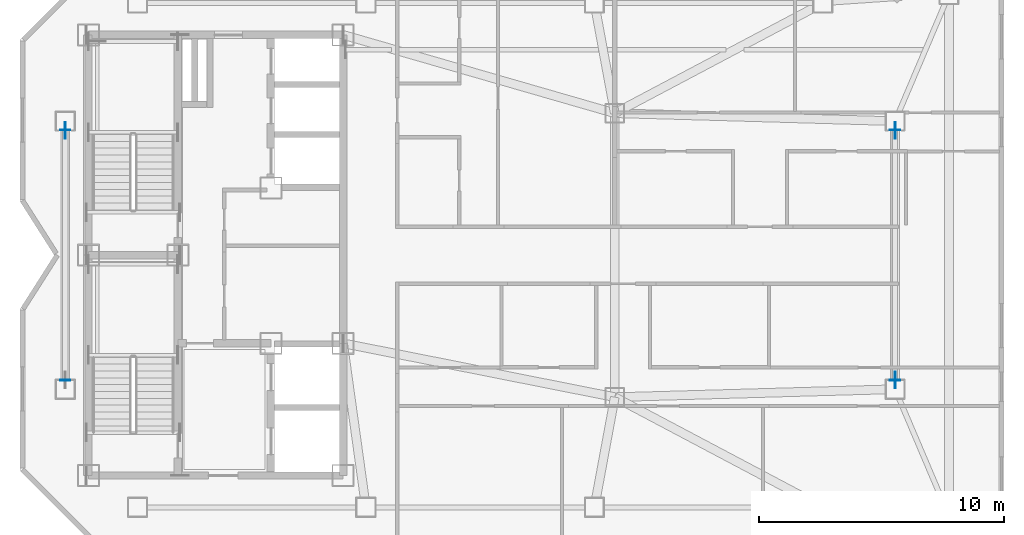
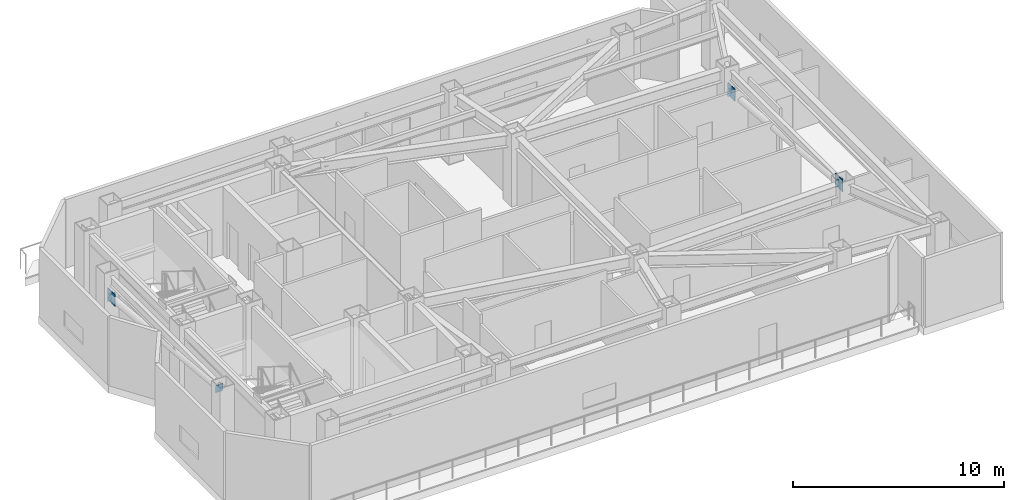
# One storey, part 3 of 10: 7 plates.
"""IFC4 building model written with IfcOpenShell, lengths in metres."""

from ifc_helpers import new_model, si_unit, direction, frame, origin, origin_2d, place, context, subcontext, project, spatial, rectangle, extrude, material, layer, layer_set, type_object, element, save


model = new_model("IFC4")

# Units and contexts
model_context = context("Model", 3, precision=1e-05, world=origin(), true_north=direction((0.0, 1.0)))
body_context = subcontext(model_context, "Body", "Model", "MODEL_VIEW")
ifc_project = project(units=[si_unit("LENGTHUNIT", "METRE"), si_unit("AREAUNIT", "SQUARE_METRE"), si_unit("VOLUMEUNIT", "CUBIC_METRE"), si_unit("PLANEANGLEUNIT", "RADIAN"), si_unit("MASSUNIT", "GRAM", prefix="KILO")], contexts=[model_context])

# Site, building, storey
site_placement = place(None, origin())
site = spatial("IfcSite", under=ifc_project, at=site_placement, CompositionType="ELEMENT")
building_placement = place(site_placement, origin())
building = spatial("IfcBuilding", under=site, at=building_placement, Name="Khamvora Tower", CompositionType="ELEMENT")
storey_placement = place(building_placement, frame((0.0, 0.0, 294.64990234375)))
storey = spatial("IfcBuildingStorey", under=building, at=storey_placement, Name="L75", CompositionType="ELEMENT", Elevation=294.64990234375)

# Plates
ifc_material_1 = material(Name="Steel S355", Category="steel")
ifc_layer_1 = layer(ifc_material_1, 0.02490234375)
ifc_layer_set_1 = layer_set([ifc_layer_1], Name="Steel S355")
plate_type_1 = type_object("IfcPlateType", Name="PL-CAP-25", PredefinedType="SHEET", material=ifc_layer_set_1)
for number, where, z_axis, x_axis, name in (
    (1, (28.050048828125, 33.10888671875, 2.506103515625), (0.0, 0.0, 1.0), (0.0, -1.0, 0.0), "L75 hollow section steel end cap plate 1309"),
    (2, (28.050048828125, 22.89111328125, 3.442138671875), (0.0, 0.0, 1.0), (0.0, -1.0, 0.0), "L75 hollow section steel end cap plate 1310"),
    (3, (61.949951171875, 33.10888671875, 2.506103515625), (0.0, 0.0, 1.0), (0.0, -1.0, 0.0), "L75 hollow section steel end cap plate 1311"),
    (4, (61.949951171875, 22.89111328125, 3.442138671875), (0.0, 0.0, 1.0), (0.0, -1.0, 0.0), "L75 hollow section steel end cap plate 1312"),
):
    element("IfcPlate", number, at=place(storey_placement, frame(where, z_axis=z_axis, x_axis=x_axis)), inside=storey, type_object=plate_type_1, Name=name, PredefinedType="SHEET", context=body_context, shape_type="SweptSolid", body=[
        extrude(rectangle(XDim=0.02490234375, YDim=0.416015625, at=origin_2d()), origin(), (0.0, 0.0, 1.0), 0.416015625),
    ])
ifc_material_2 = material(Name="Steel S460", Category="steel")
ifc_layer_2 = layer(ifc_material_2, 0.0400390625)
ifc_layer_set_2 = layer_set([ifc_layer_2], Name="Steel S460")
plate_type_2 = type_object("IfcPlateType", Name="PLT-GUS-40", PredefinedType="SHEET", material=ifc_layer_set_2)
for number, where, z_axis, x_axis, name in (
    (5, (28.050048828125, 33.096923828125, 2.375), (0.0, 0.0, 1.0), (0.0, 1.0, 0.0), "L75 brace connection node gusset plate 0457"),
    (6, (61.949951171875, 33.096923828125, 2.375), (0.0, 0.0, 1.0), (0.0, 1.0, 0.0), "L75 brace connection node gusset plate 0459"),
    (7, (61.949951171875, 22.903076171875, 3.30908203125), (0.0, 0.0, 1.0), (0.0, 1.0, 0.0), "L75 brace connection node gusset plate 0460"),
):
    element("IfcPlate", number, at=place(storey_placement, frame(where, z_axis=z_axis, x_axis=x_axis)), inside=storey, type_object=plate_type_2, Name=name, PredefinedType="SHEET", context=body_context, shape_type="SweptSolid", body=[
        extrude(rectangle(XDim=0.679931640625, YDim=0.0400390625, at=origin_2d()), origin(), (0.0, 0.0, 1.0), 0.679931640625),
    ])

save(model, "model.ifc")
